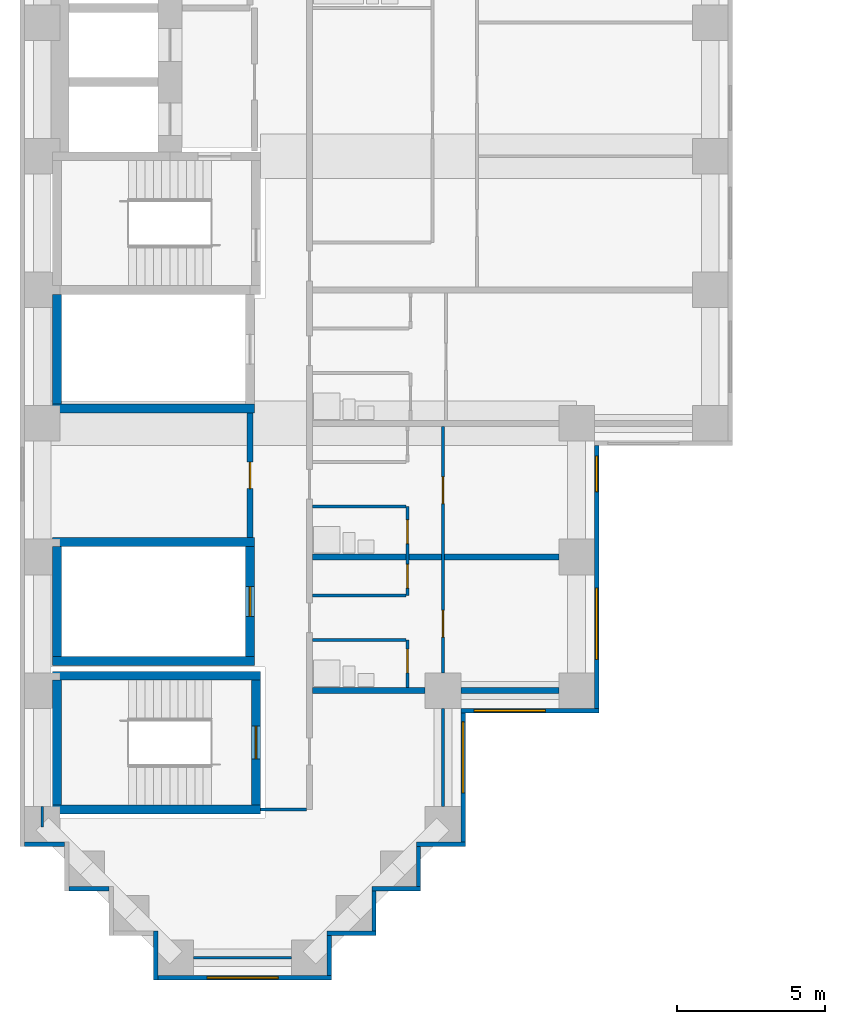
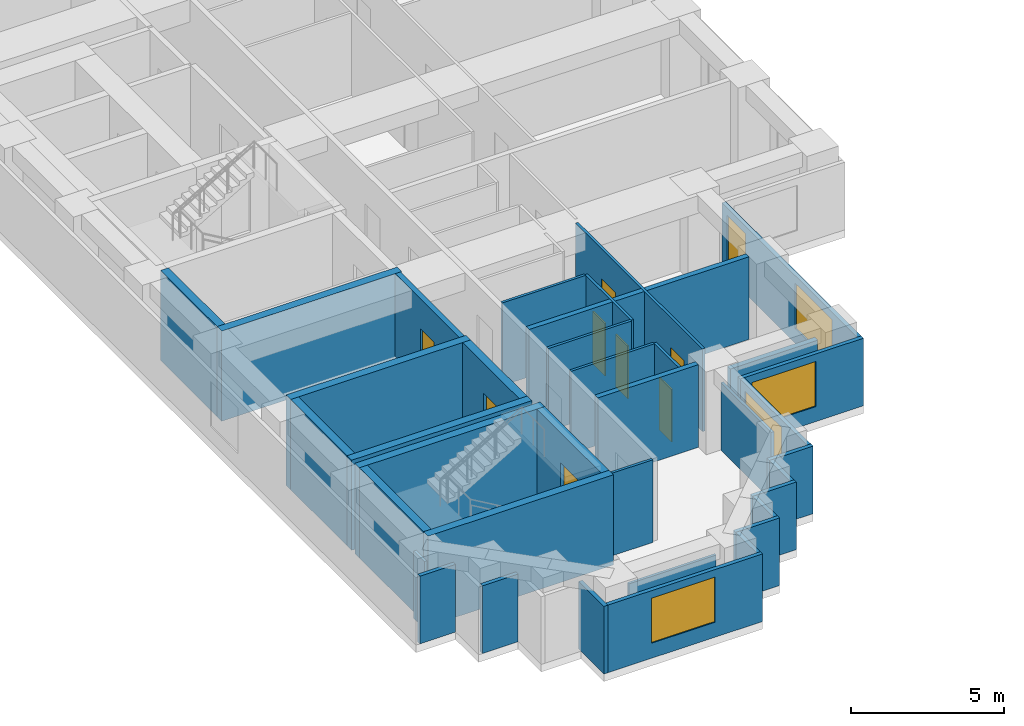
# One storey, part 2 of 11: 37 walls, 8 doors, 5 windows, 13 openings.
"""IFC4 building model written with IfcOpenShell, lengths in metres."""

import ifcopenshell
import ifcopenshell.guid

model = None  # the IFC model being written
_history = None  # IfcOwnerHistory: only IFC2X3 demands one
_inside = {}  # id of a spatial element -> (the spatial element, [elements in it])
_under = {}  # id of a project, library or spatial element -> (it, [spatial elements below it])
_declared = {}  # id of a project -> (the project, [libraries it declares])
_typed = {}  # id of a type object -> (the type object, [elements of that type])
_made_of = {}  # id of a material, layer set ... -> (it, [elements and type objects made of it])


def new_model(schema):
    """Start an empty IFC model of exactly this schema.

    Asked for "IFC4X3", IfcOpenShell would pick the latest addendum, in which some entities
    have other attributes; the version numbers below select the first issue.
    IFC2X3 requires an IfcOwnerHistory on every rooted entity: one is made here for all.
    """
    global model, _history
    if schema == "IFC4X3":
        model = ifcopenshell.file(schema_version=(4, 3, 0, 0))
    else:
        model = ifcopenshell.file(schema=schema)
    _inside.clear()
    _under.clear()
    _declared.clear()
    _typed.clear()
    _made_of.clear()
    _history = None
    if model.schema == "IFC2X3":
        org = make("IfcOrganization", Name="unknown")
        user = make(
            "IfcPersonAndOrganization",
            ThePerson=make("IfcPerson", FamilyName="unknown"),
            TheOrganization=org,
        )
        app = make(
            "IfcApplication",
            ApplicationDeveloper=org,
            Version="unknown",
            ApplicationFullName="unknown",
            ApplicationIdentifier="unknown",
        )
        _history = make(
            "IfcOwnerHistory",
            OwningUser=user,
            OwningApplication=app,
            ChangeAction="ADDED",
            CreationDate=0,
        )
    return model


def make(cls, **values):
    """One entity of the class cls with the attributes given. An attribute that is None is left unset."""
    return model.create_entity(
        cls, **{name: value for name, value in values.items() if value is not None}
    )


def rooted(cls, **values):
    """An entity with a GlobalId (a new one), such as an element, a storey or a relation."""
    return make(cls, GlobalId=ifcopenshell.guid.new(), OwnerHistory=_history, **values)


def si_unit(unit_type, name, prefix=None):
    """IfcSIUnit, for example si_unit("LENGTHUNIT", "METRE", prefix="MILLI")."""
    return make("IfcSIUnit", UnitType=unit_type, Prefix=prefix, Name=name)


def assignment(units):
    """IfcUnitAssignment: the units of a project."""
    return None if units is None else make("IfcUnitAssignment", Units=units)


def point(xyz):
    """IfcCartesianPoint."""
    return None if xyz is None else make("IfcCartesianPoint", Coordinates=xyz)


def direction(xyz):
    """IfcDirection."""
    return None if xyz is None else make("IfcDirection", DirectionRatios=xyz)


def frame(location, z_axis=None, x_axis=None):
    """IfcAxis2Placement3D, a coordinate frame: its origin and axes. An axis left out is left unset."""
    return make(
        "IfcAxis2Placement3D",
        Location=point(location),
        Axis=direction(z_axis),
        RefDirection=direction(x_axis),
    )


def frame_2d(location, x_axis=None):
    """IfcAxis2Placement2D, a coordinate frame in the plane: its origin and x axis."""
    return make(
        "IfcAxis2Placement2D", Location=point(location), RefDirection=direction(x_axis)
    )


def origin():
    """The frame at (0, 0, 0) with its axes left unset."""
    return frame((0.0, 0.0, 0.0))


def place(relative_to, where):
    """IfcLocalPlacement: puts the frame where relative to a parent placement (None: the world)."""
    return make(
        "IfcLocalPlacement", PlacementRelTo=relative_to, RelativePlacement=where
    )


def context(
    kind, dimensions, precision=None, world=None, true_north=None, identifier=None
):
    """IfcGeometricRepresentationContext, for example the 3D "Model" context."""
    return make(
        "IfcGeometricRepresentationContext",
        ContextIdentifier=identifier,
        ContextType=kind,
        CoordinateSpaceDimension=dimensions,
        Precision=precision,
        WorldCoordinateSystem=world,
        TrueNorth=true_north,
    )


def subcontext(parent, identifier, kind, view, scale=None):
    """IfcGeometricRepresentationSubContext, for example "Body" below "Model"."""
    return make(
        "IfcGeometricRepresentationSubContext",
        ContextIdentifier=identifier,
        ContextType=kind,
        ParentContext=parent,
        TargetScale=scale,
        TargetView=view,
    )


def project(units=None, contexts=None):
    """IfcProject with its units and contexts."""
    return rooted(
        "IfcProject",
        Name="project",
        RepresentationContexts=contexts,
        UnitsInContext=assignment(units),
    )


def spatial(cls, under=None, at=None, **own):
    """A site, building, storey or space (cls), placed at a placement, below another one or the project."""
    s = rooted(cls, ObjectPlacement=at, **own)
    if under is not None:
        _under.setdefault(under.id(), (under, []))[1].append(s)
    return s


def profile(cls, at=None, kind="AREA", **sizes):
    """A parametric profile (cls). Its sizes go by their IFC names, for example OverallWidth=200.0."""
    return make(cls, ProfileType=kind, Position=at, **sizes)


def rectangle(**sizes):
    """IfcRectangleProfileDef."""
    return profile("IfcRectangleProfileDef", **sizes)


def extrude(swept, where, along, depth):
    """IfcExtrudedAreaSolid: the profile swept, set in the frame where, extruded along a direction by depth."""
    return make(
        "IfcExtrudedAreaSolid",
        SweptArea=swept,
        Position=where,
        ExtrudedDirection=direction(along),
        Depth=depth,
    )


def shape(context_of_items, identifier, shape_type, items):
    """IfcShapeRepresentation: the items that make up one representation, for example the "Body"."""
    return make(
        "IfcShapeRepresentation",
        ContextOfItems=context_of_items,
        RepresentationIdentifier=identifier,
        RepresentationType=shape_type,
        Items=items,
    )


def material(Name=None, Category=None):
    """IfcMaterial."""
    return make("IfcMaterial", Name=Name, Category=Category)


def layer(
    of_material, thickness, ventilated=None, Name=None, Category=None, Priority=None
):
    """IfcMaterialLayer: one layer of a wall or slab, of a material (None: an air gap)."""
    return make(
        "IfcMaterialLayer",
        Material=of_material,
        LayerThickness=thickness,
        IsVentilated=ventilated,
        Name=Name,
        Category=Category,
        Priority=Priority,
    )


def layer_set(layers, Name=None):
    """IfcMaterialLayerSet."""
    return make("IfcMaterialLayerSet", MaterialLayers=layers, LayerSetName=Name)


def made_of(thing, what):
    """Note that an element or type object is made of a material, layer set ...; save() writes the relation."""
    if what is not None:
        _made_of.setdefault(what.id(), (what, []))[1].append(thing)
    return thing


def type_object(cls, material=None, **own):
    """A type object (cls), such as IfcWallType, which elements share."""
    return made_of(rooted(cls, **own), material)


def element(
    cls,
    number,
    at=None,
    inside=None,
    cuts=None,
    type_object=None,
    material=None,
    context=None,
    identifier="Body",
    shape_type=None,
    held_by="IfcProductDefinitionShape",
    body=None,
    shapes=None,
    **own,
):
    """One element of the class cls, such as IfcWall. Its Tag is "e" and its number.

    at: its placement. inside: the storey or other place that contains it. cuts: it is an
    opening in that element (IfcRelVoidsElement). A single representation is given by context,
    identifier, shape_type and body (its items); several are given by shapes. held_by: the class
    of the entity that holds the representations. save() writes the other relations.
    """
    e = rooted(cls, Tag="e%d" % number, ObjectPlacement=at, **own)
    if body is not None:
        shapes = [shape(context, identifier, shape_type, body)]
    if shapes is not None:
        e.Representation = make(held_by, Representations=shapes)
    if inside is not None:
        _inside.setdefault(inside.id(), (inside, []))[1].append(e)
    if cuts is not None:
        rooted(
            "IfcRelVoidsElement", RelatingBuildingElement=cuts, RelatedOpeningElement=e
        )
    if type_object is not None:
        _typed.setdefault(type_object.id(), (type_object, []))[1].append(e)
    return made_of(e, material)


def fill(opening, filler):
    """IfcRelFillsElement: the door or window that sits in an opening."""
    return rooted(
        "IfcRelFillsElement",
        RelatingOpeningElement=opening,
        RelatedBuildingElement=filler,
    )


def aggregate(whole, parts):
    """IfcRelAggregates: a whole, such as a stair, and the parts it consists of."""
    return rooted("IfcRelAggregates", RelatingObject=whole, RelatedObjects=parts)


def save(model, path):
    """Write the relations noted so far, then the file.

    IfcRelAggregates (storeys below a building ...), IfcRelContainedInSpatialStructure (elements
    in a storey), IfcRelDefinesByType, IfcRelAssociatesMaterial and IfcRelDeclares: one each for
    every whole, place, type object, material and project.
    """
    for whole, parts in _under.values():
        aggregate(whole, parts)
    for where, things in _inside.values():
        rooted(
            "IfcRelContainedInSpatialStructure",
            RelatedElements=things,
            RelatingStructure=where,
        )
    for kind, things in _typed.values():
        rooted("IfcRelDefinesByType", RelatedObjects=things, RelatingType=kind)
    for what, things in _made_of.values():
        rooted("IfcRelAssociatesMaterial", RelatedObjects=things, RelatingMaterial=what)
    for by, libraries in _declared.values():
        rooted("IfcRelDeclares", RelatingContext=by, RelatedDefinitions=libraries)
    model.write(path)


model = new_model("IFC4")

# Units and contexts
model_context = context("Model", 3, precision=1e-05, world=origin(), true_north=direction((0.0, 1.0)))
body_context = subcontext(model_context, "Body", "Model", "MODEL_VIEW")
ifc_project = project(units=[si_unit("LENGTHUNIT", "METRE"), si_unit("AREAUNIT", "SQUARE_METRE"), si_unit("VOLUMEUNIT", "CUBIC_METRE"), si_unit("PLANEANGLEUNIT", "RADIAN"), si_unit("MASSUNIT", "GRAM", prefix="KILO")], contexts=[model_context])

# Site, building, storey
site_placement = place(None, origin())
site = spatial("IfcSite", under=ifc_project, at=site_placement, CompositionType="ELEMENT")
building_placement = place(site_placement, origin())
building = spatial("IfcBuilding", under=site, at=building_placement, Name="Firuza Court", CompositionType="ELEMENT")
storey_placement = place(building_placement, frame((0.0, 0.0, 75.800048828125)))
storey = spatial("IfcBuildingStorey", under=building, at=storey_placement, Name="L18", CompositionType="ELEMENT", Elevation=75.800048828125)

# Walls
ifc_material_1 = material(Name="Moisture-resistant gypsum board partition")
ifc_layer_1 = layer(ifc_material_1, 0.10009765625)
ifc_layer_set_1 = layer_set([ifc_layer_1], Name="Moisture-resistant gypsum board partition")
wall_type_1 = type_object("IfcWallType", Name="Bathroom partition 100", PredefinedType="PLUMBINGWALL", material=ifc_layer_set_1)
for number, where, z_axis, x_axis, name in (
    (1, (9.10009765625, 10.699951171875, 0.0), (0.0, 0.0, 1.0), (1.0, 0.0, 0.0), "Bathroom partition 100 L18"),
    (2, (9.10009765625, 15.199951171875, 0.0), (0.0, 0.0, 1.0), (1.0, 0.0, 0.0), "Bathroom partition 100 L18"),
):
    element("IfcWall", number, at=place(storey_placement, frame(where, z_axis=z_axis, x_axis=x_axis)), inside=storey, type_object=wall_type_1, Name=name, PredefinedType="PLUMBINGWALL", context=body_context, shape_type="SweptSolid", body=[
        extrude(rectangle(XDim=3.14990234375, YDim=0.10009765625, at=frame_2d((1.574951171875, 0.0))), origin(), (0.0, 0.0, 1.0), 3.300048828125),
    ])
ifc_material_2 = material(Name="Concrete C60/75", Category="concrete")
ifc_layer_2 = layer(ifc_material_2, 0.300048828125)
ifc_layer_set_2 = layer_set([ifc_layer_2], Name="Concrete C60/75")
wall_type_2 = type_object("IfcWallType", Name="Core wall 300 C60/75", PredefinedType="SHEAR", material=ifc_layer_set_2)
for number, where, z_axis, x_axis, name in (
    (3, (0.35009765625, 5.0, -0.300048828125), (0.0, 0.0, 1.0), (1.0, 0.0, 0.0), "Core wall stair L18"),
    (4, (0.35009765625, 9.5, -0.300048828125), (0.0, 0.0, 1.0), (1.0, 0.0, 0.0), "Core wall stair L18"),
):
    element("IfcWall", number, at=place(storey_placement, frame(where, z_axis=z_axis, x_axis=x_axis)), inside=storey, type_object=wall_type_2, Name=name, PredefinedType="SHEAR", context=body_context, shape_type="SweptSolid", body=[
        extrude(rectangle(XDim=7.0, YDim=0.300048828125, at=frame_2d((3.5, 0.0))), origin(), (0.0, 0.0, 1.0), 3.60009765625),
    ])
for number, where, z_axis, x_axis, name in (
    (5, (0.35009765625, 10.0, -0.300048828125), (0.0, 0.0, 1.0), (1.0, 0.0, 0.0), "Core wall riser L18"),
    (6, (0.35009765625, 14.0, -0.300048828125), (0.0, 0.0, 1.0), (1.0, 0.0, 0.0), "Core wall riser L18"),
    (7, (0.35009765625, 18.5, -0.300048828125), (0.0, 0.0, 1.0), (1.0, 0.0, 0.0), "Core wall riser L18"),
):
    element("IfcWall", number, at=place(storey_placement, frame(where, z_axis=z_axis, x_axis=x_axis)), inside=storey, type_object=wall_type_2, Name=name, PredefinedType="SHEAR", context=body_context, shape_type="SweptSolid", body=[
        extrude(rectangle(XDim=6.7998046875, YDim=0.300048828125, at=frame_2d((3.39990234375, 0.0))), origin(), (0.0, 0.0, 1.0), 3.60009765625),
    ])
wall_1_placement = place(storey_placement, frame((0.5, 5.14990234375, -0.300048828125), z_axis=(0.0, 0.0, 1.0), x_axis=(0.0, 1.0, 0.0)))
element("IfcWall", 8, at=wall_1_placement, inside=storey, type_object=wall_type_2, Name="Core wall stair L18", PredefinedType="SHEAR", context=body_context, shape_type="SweptSolid", body=[
    extrude(rectangle(XDim=4.2001953125, YDim=0.300048828125, at=frame_2d((2.10009765625, 0.0))), origin(), (0.0, 0.0, 1.0), 3.60009765625),
])
for number, where, z_axis, x_axis, name in (
    (9, (0.5, 10.14990234375, -0.300048828125), (0.0, 0.0, 1.0), (0.0, 1.0, 0.0), "Core wall riser L18"),
    (10, (0.5, 18.64990234375, -0.300048828125), (0.0, 0.0, 1.0), (0.0, 1.0, 0.0), "Core wall riser L18"),
):
    element("IfcWall", number, at=place(storey_placement, frame(where, z_axis=z_axis, x_axis=x_axis)), inside=storey, type_object=wall_type_2, Name=name, PredefinedType="SHEAR", context=body_context, shape_type="SweptSolid", body=[
        extrude(rectangle(XDim=3.7001953125, YDim=0.300048828125, at=frame_2d((1.85009765625, 0.0))), origin(), (0.0, 0.0, 1.0), 3.60009765625),
    ])

# Wall, opening, door
wall_2_placement = place(storey_placement, frame((7.0, 10.14990234375, -0.300048828125), z_axis=(0.0, 0.0, 1.0), x_axis=(0.0, 1.0, 0.0)))
wall_2 = element("IfcWall", 11, at=wall_2_placement, inside=storey, type_object=wall_type_2, Name="Core wall riser L18", PredefinedType="SHEAR", context=body_context, shape_type="SweptSolid", body=[
    extrude(rectangle(XDim=3.7001953125, YDim=0.300048828125, at=frame_2d((1.85009765625, 0.0))), origin(), (0.0, 0.0, 1.0), 3.60009765625),
])
opening_1_placement = place(wall_2_placement, frame((1.35009765625, 0.0, 0.300048828125)))
opening_1 = element("IfcOpeningElement", 12, at=opening_1_placement, cuts=wall_2, Name="Opening D18012", PredefinedType="OPENING", context=body_context, shape_type="SweptSolid", body=[
    extrude(rectangle(XDim=1.0, YDim=2.10009765625, at=frame_2d((0.5, 1.050048828125))), frame((0.0, 0.162109375, 0.0), z_axis=(0.0, -1.0, 0.0), x_axis=(1.0, 0.0, 0.0)), (0.0, 0.0, 1.0), 0.323974609375),
])
ifc_material_3 = material(Name="Timber door leaf in hardwood frame", Category="wood")
door_type_1 = type_object("IfcDoorType", Name="Riser door 1000", OperationType="SINGLE_SWING_LEFT", PredefinedType="DOOR", material=ifc_material_3)
door_1_placement = place(opening_1_placement, origin())
door_1 = element("IfcDoor", 13, at=door_1_placement, inside=storey, type_object=door_type_1, Name="Riser door R4", OperationType="SINGLE_SWING_LEFT", OverallHeight=2.10009765625, OverallWidth=1.0, PredefinedType="DOOR", context=body_context, shape_type="SweptSolid", body=[
    extrude(rectangle(XDim=1.0, YDim=2.10009765625, at=frame_2d((0.5, 1.050048828125))), frame((0.0, 0.02490234375, 0.0), z_axis=(0.0, -1.0, 0.0), x_axis=(1.0, 0.0, 0.0)), (0.0, 0.0, 1.0), 0.050048828125),
])
fill(opening_1, door_1)

wall_3_placement = place(storey_placement, frame((7.199951171875, 5.14990234375, -0.300048828125), z_axis=(0.0, 0.0, 1.0), x_axis=(0.0, 1.0, 0.0)))
wall_3 = element("IfcWall", 14, at=wall_3_placement, inside=storey, type_object=wall_type_2, Name="Core wall stair L18", PredefinedType="SHEAR", context=body_context, shape_type="SweptSolid", body=[
    extrude(rectangle(XDim=4.2001953125, YDim=0.300048828125, at=frame_2d((2.10009765625, 0.0))), origin(), (0.0, 0.0, 1.0), 3.60009765625),
])
opening_2_placement = place(wall_3_placement, frame((1.550048828125, 0.0, 0.300048828125)))
opening_2 = element("IfcOpeningElement", 15, at=opening_2_placement, cuts=wall_3, Name="Opening D18018", PredefinedType="OPENING", context=body_context, shape_type="SweptSolid", body=[
    extrude(rectangle(XDim=1.10009765625, YDim=2.10009765625, at=frame_2d((0.550048828125, 1.050048828125))), frame((0.0, 0.162109375, 0.0), z_axis=(0.0, -1.0, 0.0), x_axis=(1.0, 0.0, 0.0)), (0.0, 0.0, 1.0), 0.323974609375),
])
ifc_material_4 = material(Name="Timber door leaf in hardwood frame", Category="wood")
door_type_2 = type_object("IfcDoorType", Name="Stair door 1100", OperationType="SINGLE_SWING_LEFT", PredefinedType="DOOR", material=ifc_material_4)
door_2_placement = place(opening_2_placement, origin())
door_2 = element("IfcDoor", 16, at=door_2_placement, inside=storey, type_object=door_type_2, Name="Stair door S5", OperationType="SINGLE_SWING_LEFT", OverallHeight=2.10009765625, OverallWidth=1.10009765625, PredefinedType="DOOR", context=body_context, shape_type="SweptSolid", body=[
    extrude(rectangle(XDim=1.10009765625, YDim=2.10009765625, at=frame_2d((0.550048828125, 1.050048828125))), frame((0.0, 0.02490234375, 0.0), z_axis=(0.0, -1.0, 0.0), x_axis=(1.0, 0.0, 0.0)), (0.0, 0.0, 1.0), 0.050048828125),
])
fill(opening_2, door_2)

ifc_material_5 = material(Name="Blockwork, plastered both sides", Category="masonry")
ifc_layer_3 = layer(ifc_material_5, 0.199951171875)
ifc_layer_set_3 = layer_set([ifc_layer_3], Name="Blockwork, plastered both sides")
wall_type_3 = type_object("IfcWallType", Name="Corridor wall 200", PredefinedType="PARTITIONING", material=ifc_layer_set_3)
wall_4_placement = place(storey_placement, frame((7.0, 14.14990234375, 0.0), z_axis=(0.0, 0.0, 1.0), x_axis=(0.0, 1.0, 0.0)))
wall_4 = element("IfcWall", 17, at=wall_4_placement, inside=storey, type_object=wall_type_3, Name="Corridor wall 200 L18", PredefinedType="PARTITIONING", context=body_context, shape_type="SweptSolid", body=[
    extrude(rectangle(XDim=4.2001953125, YDim=0.199951171875, at=frame_2d((2.10009765625, 0.0))), origin(), (0.0, 0.0, 1.0), 3.300048828125),
])
opening_3_placement = place(wall_4_placement, frame((1.64990234375, 0.0, 0.0)))
opening_3 = element("IfcOpeningElement", 18, at=opening_3_placement, cuts=wall_4, Name="Opening D18030", PredefinedType="OPENING", context=body_context, shape_type="SweptSolid", body=[
    extrude(rectangle(XDim=0.89990234375, YDim=2.10009765625, at=frame_2d((0.449951171875, 1.050048828125))), frame((0.0, 0.11181640625, 0.0), z_axis=(0.0, -1.0, 0.0), x_axis=(1.0, 0.0, 0.0)), (0.0, 0.0, 1.0), 0.223876953125),
])
ifc_material_6 = material(Name="Timber door leaf in hardwood frame", Category="wood")
door_type_3 = type_object("IfcDoorType", Name="Room door 900 EI 30", OperationType="SINGLE_SWING_LEFT", PredefinedType="DOOR", material=ifc_material_6)
door_3_placement = place(opening_3_placement, origin())
door_3 = element("IfcDoor", 19, at=door_3_placement, inside=storey, type_object=door_type_3, Name="Meeting room door", OperationType="SINGLE_SWING_LEFT", OverallHeight=2.10009765625, OverallWidth=0.89990234375, PredefinedType="DOOR", context=body_context, shape_type="SweptSolid", body=[
    extrude(rectangle(XDim=0.89990234375, YDim=2.10009765625, at=frame_2d((0.449951171875, 1.050048828125))), frame((0.0, 0.02490234375, 0.0), z_axis=(0.0, -1.0, 0.0), x_axis=(1.0, 0.0, 0.0)), (0.0, 0.0, 1.0), 0.050048828125),
])
fill(opening_3, door_3)

# Walls
ifc_material_7 = material(Name="Timber stud partition, plasterboard both sides", Category="wood")
ifc_layer_4 = layer(ifc_material_7, 0.10009765625)
ifc_layer_set_4 = layer_set([ifc_layer_4], Name="Timber stud partition, plasterboard both sides")
wall_type_4 = type_object("IfcWallType", Name="Partition wall 100", PredefinedType="PARTITIONING", material=ifc_layer_set_4)
wall_5_placement = place(storey_placement, frame((5.10009765625, 0.0, 0.0), z_axis=(0.0, 0.0, 1.0), x_axis=(1.0, 0.0, 0.0)))
element("IfcWall", 20, at=wall_5_placement, inside=storey, type_object=wall_type_4, Name="Partition wall 100 L18", PredefinedType="PARTITIONING", context=body_context, shape_type="SweptSolid", body=[
    extrude(rectangle(XDim=3.2998046875, YDim=0.10009765625, at=frame_2d((1.64990234375, 0.0))), origin(), (0.0, 0.0, 1.0), 2.699951171875),
])
wall_6_placement = place(storey_placement, frame((0.0, 4.39990234375, 0.0), z_axis=(0.0, 0.0, 1.0), x_axis=(0.0, 1.0, 0.0)))
element("IfcWall", 21, at=wall_6_placement, inside=storey, type_object=wall_type_4, Name="Partition wall 100 L18", PredefinedType="PARTITIONING", context=body_context, shape_type="SweptSolid", body=[
    extrude(rectangle(XDim=0.7001953125, YDim=0.10009765625, at=frame_2d((0.35009765625, 0.0))), origin(), (0.0, 0.0, 1.0), 2.699951171875),
])
wall_7_placement = place(storey_placement, frame((7.34912109375, 5.0, 0.0), z_axis=(0.0, 0.0, 1.0), x_axis=(1.0, 0.0, 0.0)))
element("IfcWall", 22, at=wall_7_placement, inside=storey, type_object=wall_type_4, Name="Partition wall 100 L18", PredefinedType="PARTITIONING", context=body_context, shape_type="SweptSolid", body=[
    extrude(rectangle(XDim=1.55078125, YDim=0.10009765625, at=frame_2d((0.775390625, 0.0))), origin(), (0.0, 0.0, 1.0), 3.300048828125),
])
wall_8_placement = place(storey_placement, frame((13.5, 5.10009765625, 0.0), z_axis=(0.0, 0.0, 1.0), x_axis=(0.0, 1.0, 0.0)))
element("IfcWall", 23, at=wall_8_placement, inside=storey, type_object=wall_type_4, Name="Partition wall 100 L18", PredefinedType="PARTITIONING", context=body_context, shape_type="SweptSolid", body=[
    extrude(rectangle(XDim=3.2998046875, YDim=0.10009765625, at=frame_2d((1.64990234375, 0.0))), origin(), (0.0, 0.0, 1.0), 2.699951171875),
])

# Wall, opening, door
wall_9_placement = place(storey_placement, frame((12.300048828125, 9.10009765625, 0.0), z_axis=(0.0, 0.0, 1.0), x_axis=(0.0, 1.0, 0.0)))
wall_9 = element("IfcWall", 24, at=wall_9_placement, inside=storey, type_object=wall_type_4, Name="Partition wall 100 L18", PredefinedType="PARTITIONING", context=body_context, shape_type="SweptSolid", body=[
    extrude(rectangle(XDim=1.599853515625, YDim=0.10009765625, at=frame_2d((0.7998046875, 0.0))), origin(), (0.0, 0.0, 1.0), 3.300048828125),
])
opening_4_placement = place(wall_9_placement, frame((0.5, 0.0, 0.0)))
opening_4 = element("IfcOpeningElement", 25, at=opening_4_placement, cuts=wall_9, Name="Opening D18025", PredefinedType="OPENING", context=body_context, shape_type="SweptSolid", body=[
    extrude(rectangle(XDim=0.800048828125, YDim=2.10009765625, at=frame_2d((0.39990234375, 1.050048828125))), frame((0.0, 0.06201171875, 0.0), z_axis=(0.0, -1.0, 0.0), x_axis=(1.0, 0.0, 0.0)), (0.0, 0.0, 1.0), 0.1240234375),
])
ifc_material_8 = material(Name="Timber door leaf in hardwood frame", Category="wood")
door_type_4 = type_object("IfcDoorType", Name="Bathroom door 800", OperationType="SINGLE_SWING_LEFT", PredefinedType="DOOR", material=ifc_material_8)
door_4_placement = place(opening_4_placement, origin())
door_4 = element("IfcDoor", 26, at=door_4_placement, inside=storey, type_object=door_type_4, Name="Bathroom door", OperationType="SINGLE_SWING_RIGHT", OverallHeight=2.10009765625, OverallWidth=0.800048828125, PredefinedType="DOOR", context=body_context, shape_type="SweptSolid", body=[
    extrude(rectangle(XDim=0.800048828125, YDim=2.10009765625, at=frame_2d((0.39990234375, 1.050048828125))), frame((0.0, 0.02490234375, 0.0), z_axis=(0.0, -1.0, 0.0), x_axis=(1.0, 0.0, 0.0)), (0.0, 0.0, 1.0), 0.050048828125),
])
fill(opening_4, door_4)

# Wall, openings, doors
wall_10_placement = place(storey_placement, frame((13.5, 9.60009765625, 0.0), z_axis=(0.0, 0.0, 1.0), x_axis=(0.0, 1.0, 0.0)))
wall_10 = element("IfcWall", 27, at=wall_10_placement, inside=storey, type_object=wall_type_4, Name="Partition wall 100 L18", PredefinedType="PARTITIONING", context=body_context, shape_type="SweptSolid", body=[
    extrude(rectangle(XDim=8.2998046875, YDim=0.10009765625, at=frame_2d((4.14990234375, 0.0))), origin(), (0.0, 0.0, 1.0), 3.300048828125),
])
opening_5_placement = place(wall_10_placement, frame((5.699951171875, 0.0, 0.0)))
opening_5 = element("IfcOpeningElement", 28, at=opening_5_placement, cuts=wall_10, Name="Opening D18026", PredefinedType="OPENING", context=body_context, shape_type="SweptSolid", body=[
    extrude(rectangle(XDim=0.89990234375, YDim=2.10009765625, at=frame_2d((0.449951171875, 1.050048828125))), frame((0.0, 0.06201171875, 0.0), z_axis=(0.0, -1.0, 0.0), x_axis=(1.0, 0.0, 0.0)), (0.0, 0.0, 1.0), 0.1240234375),
])
opening_6_placement = place(wall_10_placement, frame((1.199951171875, 0.0, 0.0)))
opening_6 = element("IfcOpeningElement", 29, at=opening_6_placement, cuts=wall_10, Name="Opening D18027", PredefinedType="OPENING", context=body_context, shape_type="SweptSolid", body=[
    extrude(rectangle(XDim=0.89990234375, YDim=2.10009765625, at=frame_2d((0.449951171875, 1.050048828125))), frame((0.0, 0.06201171875, 0.0), z_axis=(0.0, -1.0, 0.0), x_axis=(1.0, 0.0, 0.0)), (0.0, 0.0, 1.0), 0.1240234375),
])
ifc_material_9 = material(Name="Timber door leaf in hardwood frame", Category="wood")
door_type_5 = type_object("IfcDoorType", Name="Room door 900", OperationType="SINGLE_SWING_LEFT", PredefinedType="DOOR", material=ifc_material_9)
door_5_placement = place(opening_5_placement, frame((0.89990234375, 0.0, 0.0), z_axis=(0.0, 0.0, 1.0), x_axis=(-1.0, 0.0, 0.0)))
door_5 = element("IfcDoor", 30, at=door_5_placement, inside=storey, type_object=door_type_5, Name="Studio room door", OperationType="SINGLE_SWING_RIGHT", OverallHeight=2.10009765625, OverallWidth=0.89990234375, PredefinedType="DOOR", context=body_context, shape_type="SweptSolid", body=[
    extrude(rectangle(XDim=0.89990234375, YDim=2.10009765625, at=frame_2d((0.449951171875, 1.050048828125))), frame((0.0, 0.02490234375, 0.0), z_axis=(0.0, -1.0, 0.0), x_axis=(1.0, 0.0, 0.0)), (0.0, 0.0, 1.0), 0.050048828125),
])
fill(opening_5, door_5)
door_6_placement = place(opening_6_placement, frame((0.89990234375, 0.0, 0.0), z_axis=(0.0, 0.0, 1.0), x_axis=(-1.0, 0.0, 0.0)))
door_6 = element("IfcDoor", 31, at=door_6_placement, inside=storey, type_object=door_type_5, Name="Studio room door", OperationType="SINGLE_SWING_RIGHT", OverallHeight=2.10009765625, OverallWidth=0.89990234375, PredefinedType="DOOR", context=body_context, shape_type="SweptSolid", body=[
    extrude(rectangle(XDim=0.89990234375, YDim=2.10009765625, at=frame_2d((0.449951171875, 1.050048828125))), frame((0.0, 0.02490234375, 0.0), z_axis=(0.0, -1.0, 0.0), x_axis=(1.0, 0.0, 0.0)), (0.0, 0.0, 1.0), 0.050048828125),
])
fill(opening_6, door_6)

# Wall
wall_11_placement = place(storey_placement, frame((9.10009765625, 12.199951171875, 0.0), z_axis=(0.0, 0.0, 1.0), x_axis=(1.0, 0.0, 0.0)))
element("IfcWall", 32, at=wall_11_placement, inside=storey, type_object=wall_type_4, Name="Partition wall 100 L18", PredefinedType="PARTITIONING", context=body_context, shape_type="SweptSolid", body=[
    extrude(rectangle(XDim=3.14990234375, YDim=0.10009765625, at=frame_2d((1.574951171875, 0.0))), origin(), (0.0, 0.0, 1.0), 3.300048828125),
])

# Wall, openings, doors
wall_12_placement = place(storey_placement, frame((12.300048828125, 12.199951171875, 0.0), z_axis=(0.0, 0.0, 1.0), x_axis=(0.0, 1.0, 0.0)))
wall_12 = element("IfcWall", 33, at=wall_12_placement, inside=storey, type_object=wall_type_4, Name="Partition wall 100 L18", PredefinedType="PARTITIONING", context=body_context, shape_type="SweptSolid", body=[
    extrude(rectangle(XDim=3.0, YDim=0.10009765625, at=frame_2d((1.5, 0.0))), origin(), (0.0, 0.0, 1.0), 3.300048828125),
])
opening_7_placement = place(wall_12_placement, frame((1.75, 0.0, 0.0)))
opening_7 = element("IfcOpeningElement", 34, at=opening_7_placement, cuts=wall_12, Name="Opening D18028", PredefinedType="OPENING", context=body_context, shape_type="SweptSolid", body=[
    extrude(rectangle(XDim=0.800048828125, YDim=2.10009765625, at=frame_2d((0.39990234375, 1.050048828125))), frame((0.0, 0.06201171875, 0.0), z_axis=(0.0, -1.0, 0.0), x_axis=(1.0, 0.0, 0.0)), (0.0, 0.0, 1.0), 0.1240234375),
])
opening_8_placement = place(wall_12_placement, frame((0.25, 0.0, 0.0)))
opening_8 = element("IfcOpeningElement", 35, at=opening_8_placement, cuts=wall_12, Name="Opening D18029", PredefinedType="OPENING", context=body_context, shape_type="SweptSolid", body=[
    extrude(rectangle(XDim=0.800048828125, YDim=2.10009765625, at=frame_2d((0.39990234375, 1.050048828125))), frame((0.0, 0.06201171875, 0.0), z_axis=(0.0, -1.0, 0.0), x_axis=(1.0, 0.0, 0.0)), (0.0, 0.0, 1.0), 0.1240234375),
])
door_7_placement = place(opening_7_placement, origin())
door_7 = element("IfcDoor", 36, at=door_7_placement, inside=storey, type_object=door_type_4, Name="Bathroom door", OperationType="SINGLE_SWING_LEFT", OverallHeight=2.10009765625, OverallWidth=0.800048828125, PredefinedType="DOOR", context=body_context, shape_type="SweptSolid", body=[
    extrude(rectangle(XDim=0.800048828125, YDim=2.10009765625, at=frame_2d((0.39990234375, 1.050048828125))), frame((0.0, 0.02490234375, 0.0), z_axis=(0.0, -1.0, 0.0), x_axis=(1.0, 0.0, 0.0)), (0.0, 0.0, 1.0), 0.050048828125),
])
fill(opening_7, door_7)
ifc_material_10 = material(Name="Timber door leaf in hardwood frame", Category="wood")
door_type_6 = type_object("IfcDoorType", Name="Room door 800", OperationType="SINGLE_SWING_LEFT", PredefinedType="DOOR", material=ifc_material_10)
door_8_placement = place(opening_8_placement, origin())
door_8 = element("IfcDoor", 37, at=door_8_placement, inside=storey, type_object=door_type_6, Name="Kitchen door", OperationType="SINGLE_SWING_LEFT", OverallHeight=2.10009765625, OverallWidth=0.800048828125, PredefinedType="DOOR", context=body_context, shape_type="SweptSolid", body=[
    extrude(rectangle(XDim=0.800048828125, YDim=2.10009765625, at=frame_2d((0.39990234375, 1.050048828125))), frame((0.0, 0.02490234375, 0.0), z_axis=(0.0, -1.0, 0.0), x_axis=(1.0, 0.0, 0.0)), (0.0, 0.0, 1.0), 0.050048828125),
])
fill(opening_8, door_8)

# Walls
ifc_layer_5 = layer(ifc_material_5, 0.199951171875)
ifc_layer_set_5 = layer_set([ifc_layer_5], Name="Blockwork, plastered both sides")
wall_type_5 = type_object("IfcWallType", Name="Party wall 200", PredefinedType="PARTITIONING", material=ifc_layer_set_5)
wall_13_placement = place(storey_placement, frame((9.10009765625, 9.0, 0.0), z_axis=(0.0, 0.0, 1.0), x_axis=(1.0, 0.0, 0.0)))
element("IfcWall", 38, at=wall_13_placement, inside=storey, type_object=wall_type_5, Name="Party wall 200 L18", PredefinedType="PARTITIONING", context=body_context, shape_type="SweptSolid", body=[
    extrude(rectangle(XDim=3.7998046875, YDim=0.199951171875, at=frame_2d((1.89990234375, 0.0))), origin(), (0.0, 0.0, 1.0), 3.300048828125),
])
wall_14_placement = place(storey_placement, frame((14.10009765625, 9.0, 0.0), z_axis=(0.0, 0.0, 1.0), x_axis=(1.0, 0.0, 0.0)))
element("IfcWall", 39, at=wall_14_placement, inside=storey, type_object=wall_type_5, Name="Party wall 200 L18", PredefinedType="PARTITIONING", context=body_context, shape_type="SweptSolid", body=[
    extrude(rectangle(XDim=3.2998046875, YDim=0.199951171875, at=frame_2d((1.64990234375, 0.0))), origin(), (0.0, 0.0, 1.0), 2.699951171875),
])
wall_15_placement = place(storey_placement, frame((9.10009765625, 13.5, 0.0), z_axis=(0.0, 0.0, 1.0), x_axis=(1.0, 0.0, 0.0)))
element("IfcWall", 40, at=wall_15_placement, inside=storey, type_object=wall_type_5, Name="Party wall 200 L18", PredefinedType="PARTITIONING", context=body_context, shape_type="SweptSolid", body=[
    extrude(rectangle(XDim=8.2998046875, YDim=0.199951171875, at=frame_2d((4.14990234375, 0.0))), origin(), (0.0, 0.0, 1.0), 3.300048828125),
])
ifc_material_11 = material(Name="Ceramic tile", Category="ceramic")
ifc_layer_6 = layer(ifc_material_11, 0.02001953125)
ifc_material_12 = material(Name="Mineral wool insulation", Category="insulation")
ifc_layer_7 = layer(ifc_material_12, 0.050048828125)
ifc_material_13 = material(Name="Concrete C40/50 precast", Category="concrete")
ifc_layer_8 = layer(ifc_material_13, 0.080078125)
ifc_layer_set_6 = layer_set([ifc_layer_6, ifc_layer_7, ifc_layer_8], Name="Concrete C40/50 precast")
wall_type_6 = type_object("IfcWallType", Name="Precast cladding wall with turquoise TILE PANEL face 150", PredefinedType="STANDARD", material=ifc_layer_set_6)
wall_16_placement = place(storey_placement, frame((9.675048828125, -0.60009765625, 0.0), z_axis=(0.0, 0.0, 1.0), x_axis=(0.0, 1.0, 0.0)))
element("IfcWall", 41, at=wall_16_placement, inside=storey, type_object=wall_type_6, Name="Facade wall L18 E", PredefinedType="STANDARD", context=body_context, shape_type="SweptSolid", body=[
    extrude(rectangle(XDim=1.35009765625, YDim=0.14990234375, at=frame_2d((0.675048828125, 0.0))), origin(), (0.0, 0.0, 1.0), 2.699951171875),
])
wall_17_placement = place(storey_placement, frame((9.60009765625, 0.824951171875, 0.0), z_axis=(0.0, 0.0, 1.0), x_axis=(1.0, 0.0, 0.0)))
element("IfcWall", 42, at=wall_17_placement, inside=storey, type_object=wall_type_6, Name="Facade wall L18 S", PredefinedType="STANDARD", context=body_context, shape_type="SweptSolid", body=[
    extrude(rectangle(XDim=1.64990234375, YDim=0.14990234375, at=frame_2d((0.824951171875, 0.0))), origin(), (0.0, 0.0, 1.0), 2.699951171875),
])
wall_18_placement = place(storey_placement, frame((11.175048828125, 0.89990234375, 0.0), z_axis=(0.0, 0.0, 1.0), x_axis=(0.0, 1.0, 0.0)))
element("IfcWall", 43, at=wall_18_placement, inside=storey, type_object=wall_type_6, Name="Facade wall L18 E", PredefinedType="STANDARD", context=body_context, shape_type="SweptSolid", body=[
    extrude(rectangle(XDim=1.35009765625, YDim=0.14990234375, at=frame_2d((0.675048828125, 0.0))), origin(), (0.0, 0.0, 1.0), 2.699951171875),
])
wall_19_placement = place(storey_placement, frame((11.10009765625, 2.324951171875, 0.0), z_axis=(0.0, 0.0, 1.0), x_axis=(1.0, 0.0, 0.0)))
element("IfcWall", 44, at=wall_19_placement, inside=storey, type_object=wall_type_6, Name="Facade wall L18 S", PredefinedType="STANDARD", context=body_context, shape_type="SweptSolid", body=[
    extrude(rectangle(XDim=1.64990234375, YDim=0.14990234375, at=frame_2d((0.824951171875, 0.0))), origin(), (0.0, 0.0, 1.0), 2.699951171875),
])
wall_20_placement = place(storey_placement, frame((12.675048828125, 2.39990234375, 0.0), z_axis=(0.0, 0.0, 1.0), x_axis=(0.0, 1.0, 0.0)))
element("IfcWall", 45, at=wall_20_placement, inside=storey, type_object=wall_type_6, Name="Facade wall L18 E", PredefinedType="STANDARD", context=body_context, shape_type="SweptSolid", body=[
    extrude(rectangle(XDim=1.35009765625, YDim=0.14990234375, at=frame_2d((0.675048828125, 0.0))), origin(), (0.0, 0.0, 1.0), 2.699951171875),
])
wall_21_placement = place(storey_placement, frame((12.60009765625, 3.824951171875, 0.0), z_axis=(0.0, 0.0, 1.0), x_axis=(1.0, 0.0, 0.0)))
element("IfcWall", 46, at=wall_21_placement, inside=storey, type_object=wall_type_6, Name="Facade wall L18 S", PredefinedType="STANDARD", context=body_context, shape_type="SweptSolid", body=[
    extrude(rectangle(XDim=1.64990234375, YDim=0.14990234375, at=frame_2d((0.824951171875, 0.0))), origin(), (0.0, 0.0, 1.0), 2.699951171875),
])

# Wall, opening, window
wall_22_placement = place(storey_placement, frame((14.175048828125, 3.89990234375, 0.0), z_axis=(0.0, 0.0, 1.0), x_axis=(0.0, 1.0, 0.0)))
wall_22 = element("IfcWall", 47, at=wall_22_placement, inside=storey, type_object=wall_type_6, Name="Facade wall L18 E", PredefinedType="STANDARD", context=body_context, shape_type="SweptSolid", body=[
    extrude(rectangle(XDim=4.35009765625, YDim=0.14990234375, at=frame_2d((2.175048828125, 0.0))), origin(), (0.0, 0.0, 1.0), 2.699951171875),
])
opening_9_placement = place(wall_22_placement, frame((1.64990234375, 0.0, 0.60009765625)))
opening_9 = element("IfcOpeningElement", 48, at=opening_9_placement, cuts=wall_22, Name="Opening W1", PredefinedType="OPENING", context=body_context, shape_type="SweptSolid", body=[
    extrude(rectangle(XDim=2.39990234375, YDim=1.800048828125, at=frame_2d((1.199951171875, 0.89990234375))), frame((0.0, 0.0869140625, 0.0), z_axis=(0.0, -1.0, 0.0), x_axis=(1.0, 0.0, 0.0)), (0.0, 0.0, 1.0), 0.173828125),
])
ifc_material_14 = material(Name="Aluminium frame, triple clear glazing", Category="aluminium")
window_type_1 = type_object("IfcWindowType", Name="Window W1 2400 x 1800", PartitioningType="SINGLE_PANEL", PredefinedType="WINDOW", material=ifc_material_14)
window_1_placement = place(opening_9_placement, origin())
window_1 = element("IfcWindow", 49, at=window_1_placement, inside=storey, type_object=window_type_1, Name="Window L18", OverallHeight=1.800048828125, OverallWidth=2.39990234375, PartitioningType="SINGLE_PANEL", PredefinedType="WINDOW", context=body_context, shape_type="SweptSolid", body=[
    extrude(rectangle(XDim=2.39990234375, YDim=1.800048828125, at=frame_2d((1.199951171875, 0.89990234375))), frame((0.0, 0.030029296875, 0.0), z_axis=(0.0, -1.0, 0.0), x_axis=(1.0, 0.0, 0.0)), (0.0, 0.0, 1.0), 0.06005859375),
])
fill(opening_9, window_1)

wall_23_placement = place(storey_placement, frame((14.10009765625, 8.324951171875, 0.0), z_axis=(0.0, 0.0, 1.0), x_axis=(1.0, 0.0, 0.0)))
wall_23 = element("IfcWall", 50, at=wall_23_placement, inside=storey, type_object=wall_type_6, Name="Facade wall L18 S", PredefinedType="STANDARD", context=body_context, shape_type="SweptSolid", body=[
    extrude(rectangle(XDim=4.64990234375, YDim=0.14990234375, at=frame_2d((2.324951171875, 0.0))), origin(), (0.0, 0.0, 1.0), 2.699951171875),
])
opening_10_placement = place(wall_23_placement, frame((0.449951171875, 0.0, 0.60009765625)))
opening_10 = element("IfcOpeningElement", 51, at=opening_10_placement, cuts=wall_23, Name="Opening W1", PredefinedType="OPENING", context=body_context, shape_type="SweptSolid", body=[
    extrude(rectangle(XDim=2.39990234375, YDim=1.800048828125, at=frame_2d((1.199951171875, 0.89990234375))), frame((0.0, 0.0869140625, 0.0), z_axis=(0.0, -1.0, 0.0), x_axis=(1.0, 0.0, 0.0)), (0.0, 0.0, 1.0), 0.173828125),
])
window_2_placement = place(opening_10_placement, origin())
window_2 = element("IfcWindow", 52, at=window_2_placement, inside=storey, type_object=window_type_1, Name="Window L18", OverallHeight=1.800048828125, OverallWidth=2.39990234375, PartitioningType="SINGLE_PANEL", PredefinedType="WINDOW", context=body_context, shape_type="SweptSolid", body=[
    extrude(rectangle(XDim=2.39990234375, YDim=1.800048828125, at=frame_2d((1.199951171875, 0.89990234375))), frame((0.0, 0.030029296875, 0.0), z_axis=(0.0, -1.0, 0.0), x_axis=(1.0, 0.0, 0.0)), (0.0, 0.0, 1.0), 0.06005859375),
])
fill(opening_10, window_2)

# Wall, openings, windows
wall_24_placement = place(storey_placement, frame((18.675048828125, 8.39990234375, 0.0), z_axis=(0.0, 0.0, 1.0), x_axis=(0.0, 1.0, 0.0)))
wall_24 = element("IfcWall", 53, at=wall_24_placement, inside=storey, type_object=wall_type_6, Name="Facade wall L18 E", PredefinedType="STANDARD", context=body_context, shape_type="SweptSolid", body=[
    extrude(rectangle(XDim=8.85009765625, YDim=0.14990234375, at=frame_2d((4.425048828125, 0.0))), origin(), (0.0, 0.0, 1.0), 2.699951171875),
])
opening_11_placement = place(wall_24_placement, frame((1.64990234375, 0.0, 0.60009765625)))
opening_11 = element("IfcOpeningElement", 54, at=opening_11_placement, cuts=wall_24, Name="Opening W1", PredefinedType="OPENING", context=body_context, shape_type="SweptSolid", body=[
    extrude(rectangle(XDim=2.39990234375, YDim=1.800048828125, at=frame_2d((1.199951171875, 0.89990234375))), frame((0.0, 0.0869140625, 0.0), z_axis=(0.0, -1.0, 0.0), x_axis=(1.0, 0.0, 0.0)), (0.0, 0.0, 1.0), 0.173828125),
])
opening_12_placement = place(wall_24_placement, frame((7.30224609375, 0.0, 0.60009765625)))
opening_12 = element("IfcOpeningElement", 55, at=opening_12_placement, cuts=wall_24, Name="Opening W8", PredefinedType="OPENING", context=body_context, shape_type="SweptSolid", body=[
    extrude(rectangle(XDim=1.199951171875, YDim=1.800048828125, at=frame_2d((0.60009765625, 0.89990234375))), frame((0.0, 0.0869140625, 0.0), z_axis=(0.0, -1.0, 0.0), x_axis=(1.0, 0.0, 0.0)), (0.0, 0.0, 1.0), 0.173828125),
])
window_3_placement = place(opening_11_placement, origin())
window_3 = element("IfcWindow", 56, at=window_3_placement, inside=storey, type_object=window_type_1, Name="Window L18", OverallHeight=1.800048828125, OverallWidth=2.39990234375, PartitioningType="SINGLE_PANEL", PredefinedType="WINDOW", context=body_context, shape_type="SweptSolid", body=[
    extrude(rectangle(XDim=2.39990234375, YDim=1.800048828125, at=frame_2d((1.199951171875, 0.89990234375))), frame((0.0, 0.030029296875, 0.0), z_axis=(0.0, -1.0, 0.0), x_axis=(1.0, 0.0, 0.0)), (0.0, 0.0, 1.0), 0.06005859375),
])
fill(opening_11, window_3)
ifc_material_15 = material(Name="Aluminium frame, triple clear glazing", Category="aluminium")
window_type_2 = type_object("IfcWindowType", Name="Window W8 1200 x 1800", PartitioningType="SINGLE_PANEL", PredefinedType="WINDOW", material=ifc_material_15)
window_4_placement = place(opening_12_placement, origin())
window_4 = element("IfcWindow", 57, at=window_4_placement, inside=storey, type_object=window_type_2, Name="Window L18", OverallHeight=1.800048828125, OverallWidth=1.199951171875, PartitioningType="SINGLE_PANEL", PredefinedType="WINDOW", context=body_context, shape_type="SweptSolid", body=[
    extrude(rectangle(XDim=1.199951171875, YDim=1.800048828125, at=frame_2d((0.60009765625, 0.89990234375))), frame((0.0, 0.030029296875, 0.0), z_axis=(0.0, -1.0, 0.0), x_axis=(1.0, 0.0, 0.0)), (0.0, 0.0, 1.0), 0.06005859375),
])
fill(opening_12, window_4)

# Walls
for number, where, z_axis, x_axis, name in (
    (58, (-0.60009765625, 3.824951171875, 0.0), (0.0, 0.0, 1.0), (1.0, 0.0, 0.0), "Facade wall L18 S"),
    (59, (0.89990234375, 2.324951171875, 0.0), (0.0, 0.0, 1.0), (1.0, 0.0, 0.0), "Facade wall L18 S"),
):
    element("IfcWall", number, at=place(storey_placement, frame(where, z_axis=z_axis, x_axis=x_axis)), inside=storey, type_object=wall_type_6, Name=name, PredefinedType="STANDARD", context=body_context, shape_type="SweptSolid", body=[
        extrude(rectangle(XDim=1.35009765625, YDim=0.14990234375, at=frame_2d((0.675048828125, 0.0))), origin(), (0.0, 0.0, 1.0), 2.699951171875),
    ])
wall_25_placement = place(storey_placement, frame((3.824951171875, 0.89990234375, 0.0), z_axis=(0.0, 0.0, 1.0), x_axis=(0.0, -1.0, 0.0)))
element("IfcWall", 60, at=wall_25_placement, inside=storey, type_object=wall_type_6, Name="Facade wall L18 W", PredefinedType="STANDARD", context=body_context, shape_type="SweptSolid", body=[
    extrude(rectangle(XDim=1.64990234375, YDim=0.14990234375, at=frame_2d((0.824951171875, 0.0))), origin(), (0.0, 0.0, 1.0), 2.699951171875),
])

# Wall, opening, window
wall_26_placement = place(storey_placement, frame((3.89990234375, -0.675048828125, 0.0), z_axis=(0.0, 0.0, 1.0), x_axis=(1.0, 0.0, 0.0)))
wall_26 = element("IfcWall", 61, at=wall_26_placement, inside=storey, type_object=wall_type_6, Name="Facade wall L18 S", PredefinedType="STANDARD", context=body_context, shape_type="SweptSolid", body=[
    extrude(rectangle(XDim=5.85009765625, YDim=0.14990234375, at=frame_2d((2.925048828125, 0.0))), origin(), (0.0, 0.0, 1.0), 2.699951171875),
])
opening_13_placement = place(wall_26_placement, frame((1.64990234375, 0.0, 0.60009765625)))
opening_13 = element("IfcOpeningElement", 62, at=opening_13_placement, cuts=wall_26, Name="Opening W1", PredefinedType="OPENING", context=body_context, shape_type="SweptSolid", body=[
    extrude(rectangle(XDim=2.39990234375, YDim=1.800048828125, at=frame_2d((1.199951171875, 0.89990234375))), frame((0.0, 0.0869140625, 0.0), z_axis=(0.0, -1.0, 0.0), x_axis=(1.0, 0.0, 0.0)), (0.0, 0.0, 1.0), 0.173828125),
])
window_5_placement = place(opening_13_placement, origin())
window_5 = element("IfcWindow", 63, at=window_5_placement, inside=storey, type_object=window_type_1, Name="Window L18", OverallHeight=1.800048828125, OverallWidth=2.39990234375, PartitioningType="SINGLE_PANEL", PredefinedType="WINDOW", context=body_context, shape_type="SweptSolid", body=[
    extrude(rectangle(XDim=2.39990234375, YDim=1.800048828125, at=frame_2d((1.199951171875, 0.89990234375))), frame((0.0, 0.030029296875, 0.0), z_axis=(0.0, -1.0, 0.0), x_axis=(1.0, 0.0, 0.0)), (0.0, 0.0, 1.0), 0.06005859375),
])
fill(opening_13, window_5)

save(model, "model.ifc")
